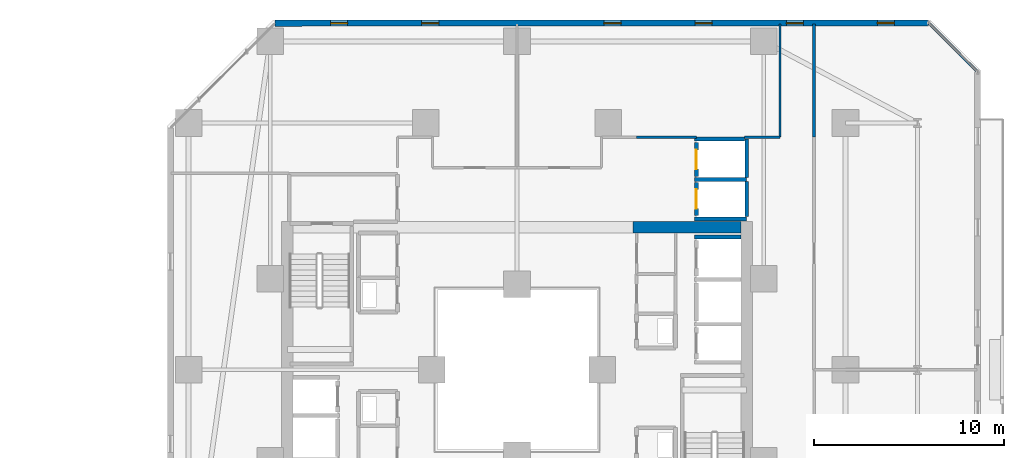
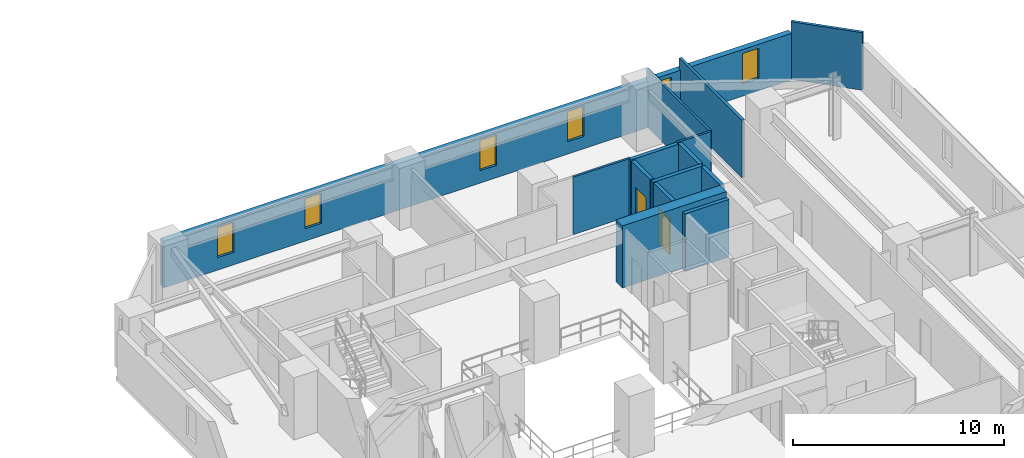
# One storey, part 25 of 33: 15 walls, 6 windows, 2 doors, 8 openings.
"""IFC4 building model written with IfcOpenShell, lengths in metres."""

import ifcopenshell
import ifcopenshell.guid

model = None  # the IFC model being written
_history = None  # IfcOwnerHistory: only IFC2X3 demands one
_inside = {}  # id of a spatial element -> (the spatial element, [elements in it])
_under = {}  # id of a project, library or spatial element -> (it, [spatial elements below it])
_declared = {}  # id of a project -> (the project, [libraries it declares])
_typed = {}  # id of a type object -> (the type object, [elements of that type])
_made_of = {}  # id of a material, layer set ... -> (it, [elements and type objects made of it])


def new_model(schema):
    """Start an empty IFC model of exactly this schema.

    Asked for "IFC4X3", IfcOpenShell would pick the latest addendum, in which some entities
    have other attributes; the version numbers below select the first issue.
    IFC2X3 requires an IfcOwnerHistory on every rooted entity: one is made here for all.
    """
    global model, _history
    if schema == "IFC4X3":
        model = ifcopenshell.file(schema_version=(4, 3, 0, 0))
    else:
        model = ifcopenshell.file(schema=schema)
    _inside.clear()
    _under.clear()
    _declared.clear()
    _typed.clear()
    _made_of.clear()
    _history = None
    if model.schema == "IFC2X3":
        org = make("IfcOrganization", Name="unknown")
        user = make(
            "IfcPersonAndOrganization",
            ThePerson=make("IfcPerson", FamilyName="unknown"),
            TheOrganization=org,
        )
        app = make(
            "IfcApplication",
            ApplicationDeveloper=org,
            Version="unknown",
            ApplicationFullName="unknown",
            ApplicationIdentifier="unknown",
        )
        _history = make(
            "IfcOwnerHistory",
            OwningUser=user,
            OwningApplication=app,
            ChangeAction="ADDED",
            CreationDate=0,
        )
    return model


def make(cls, **values):
    """One entity of the class cls with the attributes given. An attribute that is None is left unset."""
    return model.create_entity(
        cls, **{name: value for name, value in values.items() if value is not None}
    )


def rooted(cls, **values):
    """An entity with a GlobalId (a new one), such as an element, a storey or a relation."""
    return make(cls, GlobalId=ifcopenshell.guid.new(), OwnerHistory=_history, **values)


def si_unit(unit_type, name, prefix=None):
    """IfcSIUnit, for example si_unit("LENGTHUNIT", "METRE", prefix="MILLI")."""
    return make("IfcSIUnit", UnitType=unit_type, Prefix=prefix, Name=name)


def assignment(units):
    """IfcUnitAssignment: the units of a project."""
    return None if units is None else make("IfcUnitAssignment", Units=units)


def point(xyz):
    """IfcCartesianPoint."""
    return None if xyz is None else make("IfcCartesianPoint", Coordinates=xyz)


def direction(xyz):
    """IfcDirection."""
    return None if xyz is None else make("IfcDirection", DirectionRatios=xyz)


def frame(location, z_axis=None, x_axis=None):
    """IfcAxis2Placement3D, a coordinate frame: its origin and axes. An axis left out is left unset."""
    return make(
        "IfcAxis2Placement3D",
        Location=point(location),
        Axis=direction(z_axis),
        RefDirection=direction(x_axis),
    )


def frame_2d(location, x_axis=None):
    """IfcAxis2Placement2D, a coordinate frame in the plane: its origin and x axis."""
    return make(
        "IfcAxis2Placement2D", Location=point(location), RefDirection=direction(x_axis)
    )


def origin():
    """The frame at (0, 0, 0) with its axes left unset."""
    return frame((0.0, 0.0, 0.0))


def place(relative_to, where):
    """IfcLocalPlacement: puts the frame where relative to a parent placement (None: the world)."""
    return make(
        "IfcLocalPlacement", PlacementRelTo=relative_to, RelativePlacement=where
    )


def context(
    kind, dimensions, precision=None, world=None, true_north=None, identifier=None
):
    """IfcGeometricRepresentationContext, for example the 3D "Model" context."""
    return make(
        "IfcGeometricRepresentationContext",
        ContextIdentifier=identifier,
        ContextType=kind,
        CoordinateSpaceDimension=dimensions,
        Precision=precision,
        WorldCoordinateSystem=world,
        TrueNorth=true_north,
    )


def subcontext(parent, identifier, kind, view, scale=None):
    """IfcGeometricRepresentationSubContext, for example "Body" below "Model"."""
    return make(
        "IfcGeometricRepresentationSubContext",
        ContextIdentifier=identifier,
        ContextType=kind,
        ParentContext=parent,
        TargetScale=scale,
        TargetView=view,
    )


def project(units=None, contexts=None):
    """IfcProject with its units and contexts."""
    return rooted(
        "IfcProject",
        Name="project",
        RepresentationContexts=contexts,
        UnitsInContext=assignment(units),
    )


def spatial(cls, under=None, at=None, **own):
    """A site, building, storey or space (cls), placed at a placement, below another one or the project."""
    s = rooted(cls, ObjectPlacement=at, **own)
    if under is not None:
        _under.setdefault(under.id(), (under, []))[1].append(s)
    return s


def profile(cls, at=None, kind="AREA", **sizes):
    """A parametric profile (cls). Its sizes go by their IFC names, for example OverallWidth=200.0."""
    return make(cls, ProfileType=kind, Position=at, **sizes)


def rectangle(**sizes):
    """IfcRectangleProfileDef."""
    return profile("IfcRectangleProfileDef", **sizes)


def extrude(swept, where, along, depth):
    """IfcExtrudedAreaSolid: the profile swept, set in the frame where, extruded along a direction by depth."""
    return make(
        "IfcExtrudedAreaSolid",
        SweptArea=swept,
        Position=where,
        ExtrudedDirection=direction(along),
        Depth=depth,
    )


def shape(context_of_items, identifier, shape_type, items):
    """IfcShapeRepresentation: the items that make up one representation, for example the "Body"."""
    return make(
        "IfcShapeRepresentation",
        ContextOfItems=context_of_items,
        RepresentationIdentifier=identifier,
        RepresentationType=shape_type,
        Items=items,
    )


def material(Name=None, Category=None):
    """IfcMaterial."""
    return make("IfcMaterial", Name=Name, Category=Category)


def layer(
    of_material, thickness, ventilated=None, Name=None, Category=None, Priority=None
):
    """IfcMaterialLayer: one layer of a wall or slab, of a material (None: an air gap)."""
    return make(
        "IfcMaterialLayer",
        Material=of_material,
        LayerThickness=thickness,
        IsVentilated=ventilated,
        Name=Name,
        Category=Category,
        Priority=Priority,
    )


def layer_set(layers, Name=None):
    """IfcMaterialLayerSet."""
    return make("IfcMaterialLayerSet", MaterialLayers=layers, LayerSetName=Name)


def made_of(thing, what):
    """Note that an element or type object is made of a material, layer set ...; save() writes the relation."""
    if what is not None:
        _made_of.setdefault(what.id(), (what, []))[1].append(thing)
    return thing


def type_object(cls, material=None, **own):
    """A type object (cls), such as IfcWallType, which elements share."""
    return made_of(rooted(cls, **own), material)


def element(
    cls,
    number,
    at=None,
    inside=None,
    cuts=None,
    type_object=None,
    material=None,
    context=None,
    identifier="Body",
    shape_type=None,
    held_by="IfcProductDefinitionShape",
    body=None,
    shapes=None,
    **own,
):
    """One element of the class cls, such as IfcWall. Its Tag is "e" and its number.

    at: its placement. inside: the storey or other place that contains it. cuts: it is an
    opening in that element (IfcRelVoidsElement). A single representation is given by context,
    identifier, shape_type and body (its items); several are given by shapes. held_by: the class
    of the entity that holds the representations. save() writes the other relations.
    """
    e = rooted(cls, Tag="e%d" % number, ObjectPlacement=at, **own)
    if body is not None:
        shapes = [shape(context, identifier, shape_type, body)]
    if shapes is not None:
        e.Representation = make(held_by, Representations=shapes)
    if inside is not None:
        _inside.setdefault(inside.id(), (inside, []))[1].append(e)
    if cuts is not None:
        rooted(
            "IfcRelVoidsElement", RelatingBuildingElement=cuts, RelatedOpeningElement=e
        )
    if type_object is not None:
        _typed.setdefault(type_object.id(), (type_object, []))[1].append(e)
    return made_of(e, material)


def fill(opening, filler):
    """IfcRelFillsElement: the door or window that sits in an opening."""
    return rooted(
        "IfcRelFillsElement",
        RelatingOpeningElement=opening,
        RelatedBuildingElement=filler,
    )


def aggregate(whole, parts):
    """IfcRelAggregates: a whole, such as a stair, and the parts it consists of."""
    return rooted("IfcRelAggregates", RelatingObject=whole, RelatedObjects=parts)


def save(model, path):
    """Write the relations noted so far, then the file.

    IfcRelAggregates (storeys below a building ...), IfcRelContainedInSpatialStructure (elements
    in a storey), IfcRelDefinesByType, IfcRelAssociatesMaterial and IfcRelDeclares: one each for
    every whole, place, type object, material and project.
    """
    for whole, parts in _under.values():
        aggregate(whole, parts)
    for where, things in _inside.values():
        rooted(
            "IfcRelContainedInSpatialStructure",
            RelatedElements=things,
            RelatingStructure=where,
        )
    for kind, things in _typed.values():
        rooted("IfcRelDefinesByType", RelatedObjects=things, RelatingType=kind)
    for what, things in _made_of.values():
        rooted("IfcRelAssociatesMaterial", RelatedObjects=things, RelatingMaterial=what)
    for by, libraries in _declared.values():
        rooted("IfcRelDeclares", RelatingContext=by, RelatedDefinitions=libraries)
    model.write(path)


model = new_model("IFC4")

# Units and contexts
model_context = context("Model", 3, precision=1e-05, world=origin(), true_north=direction((0.0, 1.0)))
body_context = subcontext(model_context, "Body", "Model", "MODEL_VIEW")
ifc_project = project(units=[si_unit("LENGTHUNIT", "METRE"), si_unit("AREAUNIT", "SQUARE_METRE"), si_unit("VOLUMEUNIT", "CUBIC_METRE"), si_unit("PLANEANGLEUNIT", "RADIAN"), si_unit("MASSUNIT", "GRAM", prefix="KILO")], contexts=[model_context])

# Site, building, storey
site_placement = place(None, origin())
site = spatial("IfcSite", under=ifc_project, at=site_placement, CompositionType="ELEMENT")
building_placement = place(site_placement, origin())
building = spatial("IfcBuilding", under=site, at=building_placement, Name="Thornwick Lancets Civic Towers", CompositionType="ELEMENT")
storey_placement = place(building_placement, frame((0.0, 0.0, 35.10009765625)))
storey = spatial("IfcBuildingStorey", under=building, at=storey_placement, Name="L08", CompositionType="ELEMENT", Elevation=35.10009765625)

# Wall, opening, door
ifc_material_1 = material(Name="Concrete blockwork C40/50", Category="masonry")
ifc_layer_1 = layer(ifc_material_1, 0.199951171875, Name="Concrete blockwork C40/50")
ifc_layer_set_1 = layer_set([ifc_layer_1], Name="Concrete blockwork C40/50")
wall_type_1 = type_object("IfcWallType", Name="WALL_COMP_200", PredefinedType="STANDARD", material=ifc_layer_set_1)
wall_1_placement = place(storey_placement, frame((97.949951171875, 36.8701171875, 0.0), z_axis=(0.0, 0.0, 1.0), x_axis=(0.0, -1.0, 0.0)))
wall_1 = element("IfcWall", 1, at=wall_1_placement, inside=storey, type_object=wall_type_1, Name="L08 Hoistway Front Wall PL-BL2", PredefinedType="STANDARD", context=body_context, shape_type="SweptSolid", body=[
    extrude(rectangle(XDim=1.740234375, YDim=0.199951171875, at=frame_2d((0.8701171875, 0.0))), origin(), (0.0, 0.0, 1.0), 3.33984375),
])
opening_1_placement = place(wall_1_placement, frame((0.360107421875, 0.0, 0.0)))
opening_1 = element("IfcOpeningElement", 2, at=opening_1_placement, cuts=wall_1, Name="Opening LD-PL-BL2", PredefinedType="OPENING", context=body_context, shape_type="SweptSolid", body=[
    extrude(rectangle(XDim=1.02001953125, YDim=2.06005859375, at=frame_2d((0.510009765625, 1.030029296875))), frame((0.0, 0.10986328125, 0.0), z_axis=(0.0, -1.0, 0.0), x_axis=(1.0, 0.0, 0.0)), (0.0, 0.0, 1.0), 0.219970703125),
])
ifc_material_2 = material(Name="Brushed bronze stainless steel", Category="steel")
door_type = type_object("IfcDoorType", Name="DOOR_LIFT_SLIDE", OperationType="SLIDING_TO_LEFT", PredefinedType="DOOR", material=ifc_material_2)
door_1_placement = place(opening_1_placement, origin())
door_1 = element("IfcDoor", 3, at=door_1_placement, inside=storey, type_object=door_type, Name="L08 Sliding Lift Landing Door LD-PL-BL2", OperationType="SLIDING_TO_LEFT", OverallHeight=2.06005859375, OverallWidth=1.02001953125, PredefinedType="DOOR", context=body_context, shape_type="SweptSolid", body=[
    extrude(rectangle(XDim=1.02001953125, YDim=2.06005859375, at=frame_2d((0.510009765625, 1.030029296875))), frame((0.0, 0.02490234375, 0.0), z_axis=(0.0, -1.0, 0.0), x_axis=(1.0, 0.0, 0.0)), (0.0, 0.0, 1.0), 0.050048828125),
])
fill(opening_1, door_1)

wall_2_placement = place(storey_placement, frame((97.949951171875, 38.969970703125, 0.0), z_axis=(0.0, 0.0, 1.0), x_axis=(0.0, -1.0, 0.0)))
wall_2 = element("IfcWall", 4, at=wall_2_placement, inside=storey, type_object=wall_type_1, Name="L08 Hoistway Front Wall PL-BL3", PredefinedType="STANDARD", context=body_context, shape_type="SweptSolid", body=[
    extrude(rectangle(XDim=1.7900390625, YDim=0.199951171875, at=frame_2d((0.89501953125, 0.0))), origin(), (0.0, 0.0, 1.0), 3.33984375),
])
opening_2_placement = place(wall_2_placement, frame((0.385009765625, 0.0, 0.0)))
opening_2 = element("IfcOpeningElement", 5, at=opening_2_placement, cuts=wall_2, Name="Opening LD-PL-BL3", PredefinedType="OPENING", context=body_context, shape_type="SweptSolid", body=[
    extrude(rectangle(XDim=1.02001953125, YDim=2.06005859375, at=frame_2d((0.510009765625, 1.030029296875))), frame((0.0, 0.10986328125, 0.0), z_axis=(0.0, -1.0, 0.0), x_axis=(1.0, 0.0, 0.0)), (0.0, 0.0, 1.0), 0.219970703125),
])
door_2_placement = place(opening_2_placement, origin())
door_2 = element("IfcDoor", 6, at=door_2_placement, inside=storey, type_object=door_type, Name="L08 Sliding Lift Landing Door LD-PL-BL3", OperationType="SLIDING_TO_LEFT", OverallHeight=2.06005859375, OverallWidth=1.02001953125, PredefinedType="DOOR", context=body_context, shape_type="SweptSolid", body=[
    extrude(rectangle(XDim=1.02001953125, YDim=2.06005859375, at=frame_2d((0.510009765625, 1.030029296875))), frame((0.0, 0.02490234375, 0.0), z_axis=(0.0, -1.0, 0.0), x_axis=(1.0, 0.0, 0.0)), (0.0, 0.0, 1.0), 0.050048828125),
])
fill(opening_2, door_2)

# Walls
wall_3_placement = place(storey_placement, frame((97.85205078125, 34.0, 0.0), z_axis=(0.0, 0.0, 1.0), x_axis=(1.0, 0.0, 0.0)))
element("IfcWall", 7, at=wall_3_placement, inside=storey, type_object=wall_type_1, Name="L08 Hoistway Shaft Wall PL-BL1 N", PredefinedType="STANDARD", context=body_context, shape_type="SweptSolid", body=[
    extrude(rectangle(XDim=2.43603515625, YDim=0.199951171875, at=frame_2d((1.218017578125, 0.0))), origin(), (0.0, 0.0, 1.0), 3.33984375),
])
for number, where, z_axis, x_axis, name in (
    (8, (97.85205078125, 37.02490234375, 0.0), (0.0, 0.0, 1.0), (1.0, 0.0, 0.0), "L08 Hoistway Shaft Wall PL-BL2 N"),
    (9, (97.85205078125, 34.949951171875, 0.0), (0.0, 0.0, 1.0), (1.0, 0.0, 0.0), "L08 Hoistway Shaft Wall PL-BL2 S"),
):
    element("IfcWall", number, at=place(storey_placement, frame(where, z_axis=z_axis, x_axis=x_axis)), inside=storey, type_object=wall_type_1, Name=name, PredefinedType="STANDARD", context=body_context, shape_type="SweptSolid", body=[
        extrude(rectangle(XDim=2.745849609375, YDim=0.199951171875, at=frame_2d((1.373046875, 0.0))), origin(), (0.0, 0.0, 1.0), 3.33984375),
    ])
wall_4_placement = place(storey_placement, frame((100.60009765625, 35.06201171875, 0.0), z_axis=(0.0, 0.0, 1.0), x_axis=(0.0, 1.0, 0.0)))
element("IfcWall", 10, at=wall_4_placement, inside=storey, type_object=wall_type_1, Name="L08 Hoistway Shaft Wall PL-BL2 E", PredefinedType="STANDARD", context=body_context, shape_type="SweptSolid", body=[
    extrude(rectangle(XDim=1.85595703125, YDim=0.199951171875, at=frame_2d((0.927978515625, 0.0))), origin(), (0.0, 0.0, 1.0), 3.33984375),
])
wall_5_placement = place(storey_placement, frame((100.60009765625, 37.132080078125, 0.0), z_axis=(0.0, 0.0, 1.0), x_axis=(0.0, 1.0, 0.0)))
element("IfcWall", 11, at=wall_5_placement, inside=storey, type_object=wall_type_1, Name="L08 Hoistway Shaft Wall PL-BL2 E", PredefinedType="STANDARD", context=body_context, shape_type="SweptSolid", body=[
    extrude(rectangle(XDim=2.015869140625, YDim=0.199951171875, at=frame_2d((1.0078125, 0.0))), origin(), (0.0, 0.0, 1.0), 3.33984375),
])
wall_6_placement = place(storey_placement, frame((97.85205078125, 39.14990234375, 0.0), z_axis=(0.0, 0.0, 1.0), x_axis=(1.0, 0.0, 0.0)))
element("IfcWall", 12, at=wall_6_placement, inside=storey, type_object=wall_type_1, Name="L08 Hoistway Shaft Wall PL-BL3 N", PredefinedType="STANDARD", context=body_context, shape_type="SweptSolid", body=[
    extrude(rectangle(XDim=2.635986328125, YDim=0.199951171875, at=frame_2d((1.31787109375, 0.0))), origin(), (0.0, 0.0, 1.0), 3.33984375),
])
ifc_material_3 = material(Name="Concrete C60/75", Category="concrete")
ifc_layer_2 = layer(ifc_material_3, 0.60009765625, Name="Concrete C60/75")
ifc_layer_set_2 = layer_set([ifc_layer_2], Name="Concrete C60/75")
wall_type_2 = type_object("IfcWallType", Name="WALL_CORE_600", PredefinedType="SHEAR", material=ifc_layer_set_2)
wall_7_placement = place(storey_placement, frame((94.60009765625, 34.5, 0.0), z_axis=(0.0, 0.0, 1.0), x_axis=(1.0, 0.0, 0.0)))
element("IfcWall", 13, at=wall_7_placement, inside=storey, type_object=wall_type_2, Name="L08 Split Core B1 Shear Wall N", PredefinedType="SHEAR", context=body_context, shape_type="SweptSolid", body=[
    extrude(rectangle(XDim=5.699951171875, YDim=0.60009765625, at=frame_2d((2.85009765625, 0.0))), origin(), (0.0, 0.0, 1.0), 3.599853515625),
])

# Wall, openings, windows
ifc_material_4 = material(Name="Insulated buff terracotta rainscreen on concrete C40/50", Category="masonry")
ifc_layer_3 = layer(ifc_material_4, 0.320068359375, Name="Insulated buff terracotta rainscreen on concrete C40/50")
ifc_layer_set_3 = layer_set([ifc_layer_3], Name="Insulated buff terracotta rainscreen on concrete C40/50")
wall_type_3 = type_object("IfcWallType", Name="WALL_EXT_TERRA_320", PredefinedType="STANDARD", material=ifc_layer_set_3)
wall_8_placement = place(storey_placement, frame((110.18115234375, 45.264892578125, 0.0), z_axis=(0.0, 0.0, 1.0), x_axis=(-0.999999961759, -0.000276554545, 0.0)))
wall_8 = element("IfcWall", 14, at=wall_8_placement, inside=storey, type_object=wall_type_3, Name="L08 Tower B Terracotta Facade Wall E4", PredefinedType="STANDARD", context=body_context, shape_type="SweptSolid", body=[
    extrude(rectangle(XDim=34.428955078125, YDim=0.320068359375, at=frame_2d((17.21435546875, 0.0))), origin(), (0.0, 0.0, 1.0), 2.699951171875),
])
opening_3_placement = place(wall_8_placement, frame((1.800048828125, 0.0, 0.719970703125)))
opening_3 = element("IfcOpeningElement", 15, at=opening_3_placement, cuts=wall_8, Name="Opening WL-01", PredefinedType="OPENING", context=body_context, shape_type="SweptSolid", body=[
    extrude(rectangle(XDim=0.89990234375, YDim=1.75, at=frame_2d((0.449951171875, 0.875))), frame((0.0, 0.169921875, 0.0), z_axis=(0.0, -1.0, 0.0), x_axis=(1.0, 0.0, 0.0)), (0.0, 0.0, 1.0), 0.340087890625),
])
opening_4_placement = place(wall_8_placement, frame((6.60009765625, 0.0, 0.719970703125)))
opening_4 = element("IfcOpeningElement", 16, at=opening_4_placement, cuts=wall_8, Name="Opening WL-01", PredefinedType="OPENING", context=body_context, shape_type="SweptSolid", body=[
    extrude(rectangle(XDim=0.89990234375, YDim=1.75, at=frame_2d((0.449951171875, 0.875))), frame((0.0, 0.169921875, 0.0), z_axis=(0.0, -1.0, 0.0), x_axis=(1.0, 0.0, 0.0)), (0.0, 0.0, 1.0), 0.340087890625),
])
opening_5_placement = place(wall_8_placement, frame((11.39990234375, 0.0, 0.719970703125)))
opening_5 = element("IfcOpeningElement", 17, at=opening_5_placement, cuts=wall_8, Name="Opening WL-01", PredefinedType="OPENING", context=body_context, shape_type="SweptSolid", body=[
    extrude(rectangle(XDim=0.89990234375, YDim=1.75, at=frame_2d((0.449951171875, 0.875))), frame((0.0, 0.169921875, 0.0), z_axis=(0.0, -1.0, 0.0), x_axis=(1.0, 0.0, 0.0)), (0.0, 0.0, 1.0), 0.340087890625),
])
opening_6_placement = place(wall_8_placement, frame((16.199951171875, 0.0, 0.719970703125)))
opening_6 = element("IfcOpeningElement", 18, at=opening_6_placement, cuts=wall_8, Name="Opening WL-01", PredefinedType="OPENING", context=body_context, shape_type="SweptSolid", body=[
    extrude(rectangle(XDim=0.89990234375, YDim=1.75, at=frame_2d((0.449951171875, 0.875))), frame((0.0, 0.169921875, 0.0), z_axis=(0.0, -1.0, 0.0), x_axis=(1.0, 0.0, 0.0)), (0.0, 0.0, 1.0), 0.340087890625),
])
opening_7_placement = place(wall_8_placement, frame((25.800048828125, 0.0, 0.719970703125)))
opening_7 = element("IfcOpeningElement", 19, at=opening_7_placement, cuts=wall_8, Name="Opening WL-01", PredefinedType="OPENING", context=body_context, shape_type="SweptSolid", body=[
    extrude(rectangle(XDim=0.89990234375, YDim=1.75, at=frame_2d((0.449951171875, 0.875))), frame((0.0, 0.169921875, 0.0), z_axis=(0.0, -1.0, 0.0), x_axis=(1.0, 0.0, 0.0)), (0.0, 0.0, 1.0), 0.340087890625),
])
opening_8_placement = place(wall_8_placement, frame((30.60009765625, 0.0, 0.719970703125)))
opening_8 = element("IfcOpeningElement", 20, at=opening_8_placement, cuts=wall_8, Name="Opening WL-01", PredefinedType="OPENING", context=body_context, shape_type="SweptSolid", body=[
    extrude(rectangle(XDim=0.89990234375, YDim=1.75, at=frame_2d((0.449951171875, 0.875))), frame((0.0, 0.169921875, 0.0), z_axis=(0.0, -1.0, 0.0), x_axis=(1.0, 0.0, 0.0)), (0.0, 0.0, 1.0), 0.340087890625),
])
ifc_material_5 = material(Name="Clear low-e double glazing in bronze frame", Category="glass")
window_type = type_object("IfcWindowType", Name="WIN_LANCET_900", PartitioningType="SINGLE_PANEL", PredefinedType="WINDOW", material=ifc_material_5)
window_1_placement = place(opening_3_placement, origin())
window_1 = element("IfcWindow", 21, at=window_1_placement, inside=storey, type_object=window_type, Name="L08 Tower B Staggered Lancet Window E4-1", OverallHeight=1.75, OverallWidth=0.89990234375, PartitioningType="SINGLE_PANEL", PredefinedType="WINDOW", context=body_context, shape_type="SweptSolid", body=[
    extrude(rectangle(XDim=0.89990234375, YDim=1.75, at=frame_2d((0.449951171875, 0.875))), frame((0.0, 0.030029296875, 0.0), z_axis=(0.0, -1.0, 0.0), x_axis=(1.0, 0.0, 0.0)), (0.0, 0.0, 1.0), 0.06005859375),
])
fill(opening_3, window_1)
window_2_placement = place(opening_4_placement, origin())
window_2 = element("IfcWindow", 22, at=window_2_placement, inside=storey, type_object=window_type, Name="L08 Tower B Staggered Lancet Window E4-2", OverallHeight=1.75, OverallWidth=0.89990234375, PartitioningType="SINGLE_PANEL", PredefinedType="WINDOW", context=body_context, shape_type="SweptSolid", body=[
    extrude(rectangle(XDim=0.89990234375, YDim=1.75, at=frame_2d((0.449951171875, 0.875))), frame((0.0, 0.030029296875, 0.0), z_axis=(0.0, -1.0, 0.0), x_axis=(1.0, 0.0, 0.0)), (0.0, 0.0, 1.0), 0.06005859375),
])
fill(opening_4, window_2)
window_3_placement = place(opening_5_placement, origin())
window_3 = element("IfcWindow", 23, at=window_3_placement, inside=storey, type_object=window_type, Name="L08 Tower B Staggered Lancet Window E4-3", OverallHeight=1.75, OverallWidth=0.89990234375, PartitioningType="SINGLE_PANEL", PredefinedType="WINDOW", context=body_context, shape_type="SweptSolid", body=[
    extrude(rectangle(XDim=0.89990234375, YDim=1.75, at=frame_2d((0.449951171875, 0.875))), frame((0.0, 0.030029296875, 0.0), z_axis=(0.0, -1.0, 0.0), x_axis=(1.0, 0.0, 0.0)), (0.0, 0.0, 1.0), 0.06005859375),
])
fill(opening_5, window_3)
window_4_placement = place(opening_6_placement, origin())
window_4 = element("IfcWindow", 24, at=window_4_placement, inside=storey, type_object=window_type, Name="L08 Tower B Staggered Lancet Window E4-4", OverallHeight=1.75, OverallWidth=0.89990234375, PartitioningType="SINGLE_PANEL", PredefinedType="WINDOW", context=body_context, shape_type="SweptSolid", body=[
    extrude(rectangle(XDim=0.89990234375, YDim=1.75, at=frame_2d((0.449951171875, 0.875))), frame((0.0, 0.030029296875, 0.0), z_axis=(0.0, -1.0, 0.0), x_axis=(1.0, 0.0, 0.0)), (0.0, 0.0, 1.0), 0.06005859375),
])
fill(opening_6, window_4)
window_5_placement = place(opening_7_placement, origin())
window_5 = element("IfcWindow", 25, at=window_5_placement, inside=storey, type_object=window_type, Name="L08 Tower B Staggered Lancet Window E4-5", OverallHeight=1.75, OverallWidth=0.89990234375, PartitioningType="SINGLE_PANEL", PredefinedType="WINDOW", context=body_context, shape_type="SweptSolid", body=[
    extrude(rectangle(XDim=0.89990234375, YDim=1.75, at=frame_2d((0.449951171875, 0.875))), frame((0.0, 0.030029296875, 0.0), z_axis=(0.0, -1.0, 0.0), x_axis=(1.0, 0.0, 0.0)), (0.0, 0.0, 1.0), 0.06005859375),
])
fill(opening_7, window_5)
window_6_placement = place(opening_8_placement, origin())
window_6 = element("IfcWindow", 26, at=window_6_placement, inside=storey, type_object=window_type, Name="L08 Tower B Staggered Lancet Window E4-6", OverallHeight=1.75, OverallWidth=0.89990234375, PartitioningType="SINGLE_PANEL", PredefinedType="WINDOW", context=body_context, shape_type="SweptSolid", body=[
    extrude(rectangle(XDim=0.89990234375, YDim=1.75, at=frame_2d((0.449951171875, 0.875))), frame((0.0, 0.030029296875, 0.0), z_axis=(0.0, -1.0, 0.0), x_axis=(1.0, 0.0, 0.0)), (0.0, 0.0, 1.0), 0.06005859375),
])
fill(opening_8, window_6)

# Walls
ifc_material_6 = material(Name="Acoustic gypsum board partition")
ifc_layer_4 = layer(ifc_material_6, 0.1201171875, Name="Acoustic gypsum board partition")
ifc_layer_set_4 = layer_set([ifc_layer_4], Name="Acoustic gypsum board partition")
wall_type_4 = type_object("IfcWallType", Name="WALL_PART_120", PredefinedType="PARTITIONING", material=ifc_layer_set_4)
wall_9_placement = place(storey_placement, frame((97.949951171875, 39.25, 0.0), z_axis=(0.0, 0.0, 1.0), x_axis=(-1.0, 0.0, 0.0)))
element("IfcWall", 27, at=wall_9_placement, inside=storey, type_object=wall_type_4, Name="L08 Partition L08-B-E1 E1", PredefinedType="PARTITIONING", context=body_context, shape_type="SweptSolid", body=[
    extrude(rectangle(XDim=3.14990234375, YDim=0.1201171875, at=frame_2d((1.574951171875, 0.0))), origin(), (0.0, 0.0, 1.0), 3.33984375),
])
wall_10_placement = place(storey_placement, frame((102.35009765625, 45.219970703125, 0.0), z_axis=(0.0, 0.0, 1.0), x_axis=(0.0, -1.0, 0.0)))
element("IfcWall", 28, at=wall_10_placement, inside=storey, type_object=wall_type_4, Name="L08 Partition L08-B-E1 E7", PredefinedType="PARTITIONING", context=body_context, shape_type="SweptSolid", body=[
    extrude(rectangle(XDim=5.969970703125, YDim=0.1201171875, at=frame_2d((2.98486328125, 0.0))), origin(), (0.0, 0.0, 1.0), 3.33984375),
])
wall_11_placement = place(storey_placement, frame((102.35009765625, 39.25, 0.0), z_axis=(0.0, 0.0, 1.0), x_axis=(-1.0, 0.0, 0.0)))
element("IfcWall", 29, at=wall_11_placement, inside=storey, type_object=wall_type_4, Name="L08 Partition L08-B-E1 E8", PredefinedType="PARTITIONING", context=body_context, shape_type="SweptSolid", body=[
    extrude(rectangle(XDim=1.862060546875, YDim=0.1201171875, at=frame_2d((0.93115234375, 0.0))), origin(), (0.0, 0.0, 1.0), 3.33984375),
])
ifc_material_7 = material(Name="Twin-stud acoustic gypsum board")
ifc_layer_5 = layer(ifc_material_7, 0.14990234375, Name="Twin-stud acoustic gypsum board")
ifc_layer_set_5 = layer_set([ifc_layer_5], Name="Twin-stud acoustic gypsum board")
wall_type_5 = type_object("IfcWallType", Name="WALL_PART_150", PredefinedType="PARTITIONING", material=ifc_layer_set_5)
wall_12_placement = place(storey_placement, frame((104.14990234375, 39.25, 0.0), z_axis=(0.0, 0.0, 1.0), x_axis=(0.0, 1.0, 0.0)))
element("IfcWall", 30, at=wall_12_placement, inside=storey, type_object=wall_type_5, Name="L08 Partition L08-B-S-ARCH E2", PredefinedType="PARTITIONING", context=body_context, shape_type="SweptSolid", body=[
    extrude(rectangle(XDim=5.969970703125, YDim=0.14990234375, at=frame_2d((2.98486328125, 0.0))), origin(), (0.0, 0.0, 1.0), 3.33984375),
])
wall_13_placement = place(storey_placement, frame((110.225341796875, 45.219970703125, 0.0), z_axis=(0.0, 0.0, 1.0), x_axis=(0.707106781187, -0.707106781187, 0.0)))
element("IfcWall", 31, at=wall_13_placement, inside=storey, type_object=wall_type_5, Name="L08 Partition L08-B-S-ARCH E4", PredefinedType="PARTITIONING", context=body_context, shape_type="SweptSolid", body=[
    extrude(rectangle(XDim=3.52783203125, YDim=0.14990234375, at=frame_2d((1.763916015625, 0.0))), origin(), (0.0, 0.0, 1.0), 3.33984375),
])

save(model, "model.ifc")
